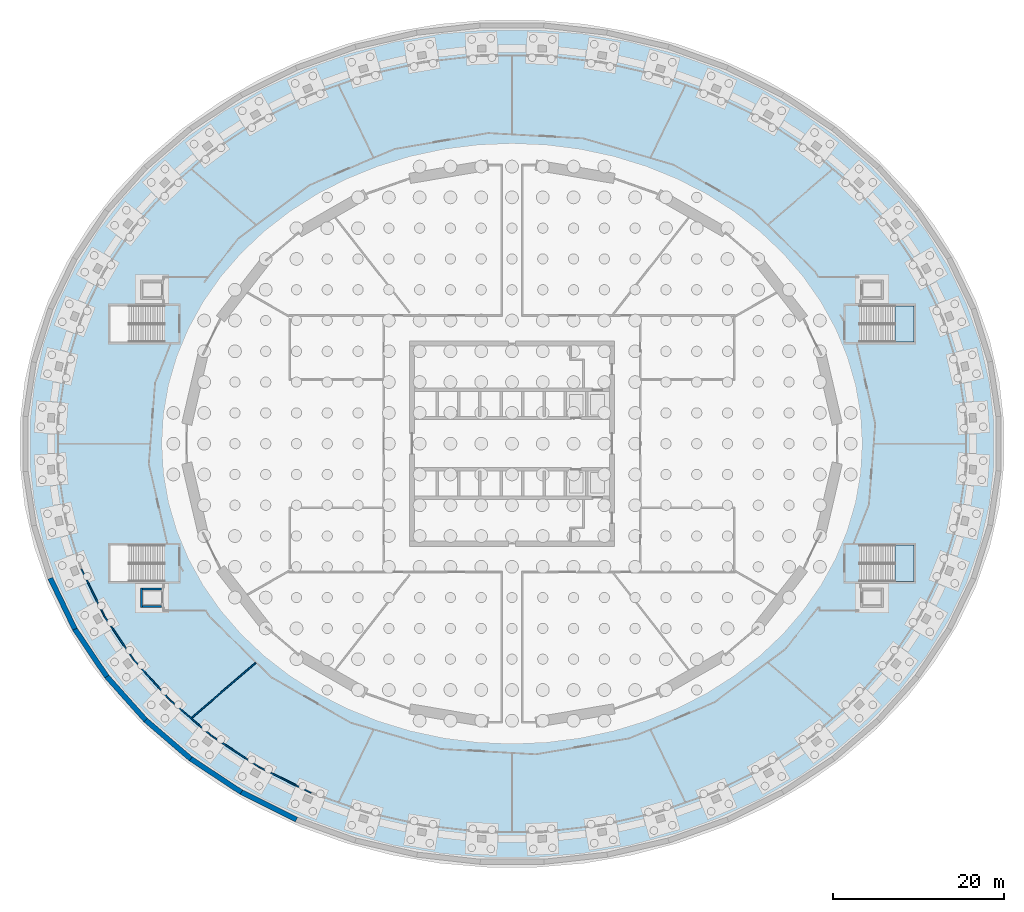
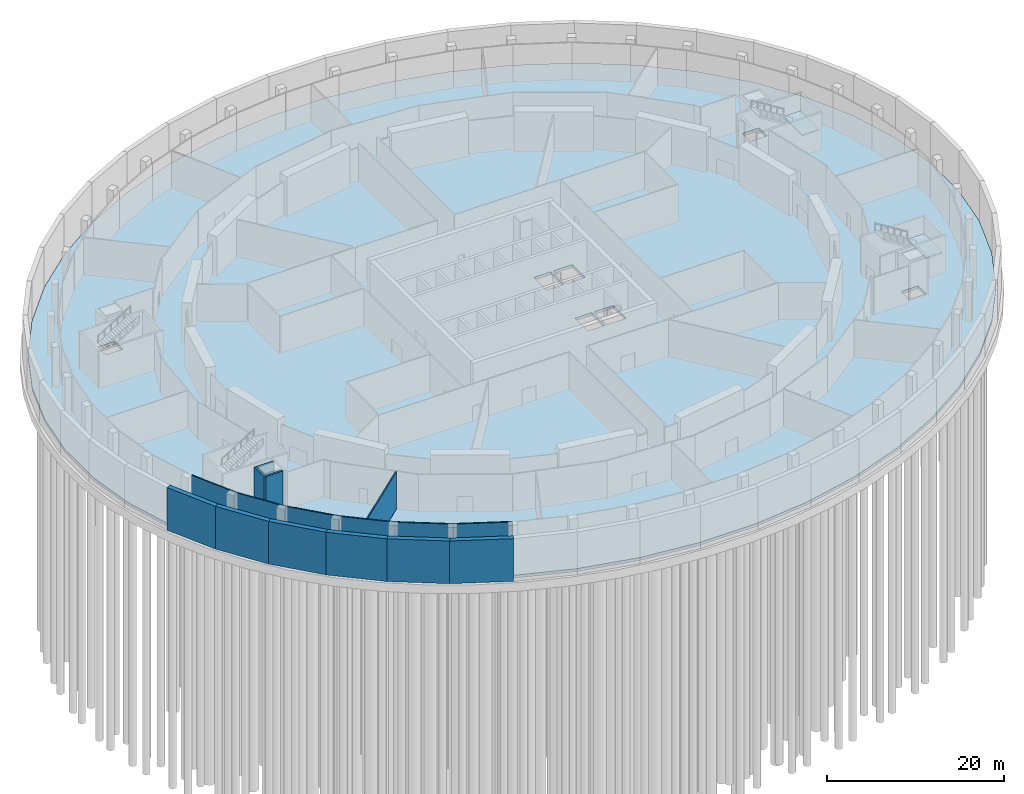
# One storey, part 5 of 15: 16 walls, 3 slabs, 2 elements without a shape of their own.
"""IFC4 building model written with IfcOpenShell, lengths in metres."""

from ifc_helpers import new_model, si_unit, direction, frame, frame_2d, origin, place, context, subcontext, project, spatial, polyline, rectangle, outline, extrude, material, layer, layer_set, type_object, element, aggregate, save


model = new_model("IFC4")

# Units and contexts
model_context = context("Model", 3, precision=1e-05, world=origin(), true_north=direction((0.0, 1.0)))
body_context = subcontext(model_context, "Body", "Model", "MODEL_VIEW")
ifc_project = project(units=[si_unit("LENGTHUNIT", "METRE"), si_unit("AREAUNIT", "SQUARE_METRE"), si_unit("VOLUMEUNIT", "CUBIC_METRE"), si_unit("PLANEANGLEUNIT", "RADIAN"), si_unit("MASSUNIT", "GRAM", prefix="KILO")], contexts=[model_context])

# Site, building, storey
site_placement = place(None, origin())
site = spatial("IfcSite", under=ifc_project, at=site_placement, CompositionType="ELEMENT")
building_placement = place(site_placement, origin())
building = spatial("IfcBuilding", under=site, at=building_placement, Name="Halqa Exchange Tower", CompositionType="ELEMENT")
storey_placement = place(building_placement, frame((0.0, 0.0, -15.0)))
storey = spatial("IfcBuildingStorey", under=building, at=storey_placement, Name="B3", CompositionType="ELEMENT", Elevation=-15.0)

# Slab
ifc_material_1 = material(Name="Concrete C40/50", Category="concrete")
ifc_layer_1 = layer(ifc_material_1, 0.39990234375)
ifc_layer_set_1 = layer_set([ifc_layer_1], Name="Concrete C40/50")
slab_type_1 = type_object("IfcSlabType", Name="RC base slab 400", PredefinedType="BASESLAB", material=ifc_layer_set_1)
slab_1_placement = place(storey_placement, frame((0.0, 0.0, -0.39990234375)))
element("IfcSlab", 1, at=slab_1_placement, inside=storey, type_object=slab_type_1, Name="Base slab", PredefinedType="BASESLAB", context=body_context, shape_type="SweptSolid", body=[
    extrude(outline(polyline([(56.577880859375, 3.181884765625), (56.577880859375, -3.181884765625), (55.61181640625, -9.49169921875), (53.6953125, -15.64013671875), (50.860595703125, -21.522705078125), (47.15625, -27.03857421875), (42.644287109375, -32.09326171875), (37.401611328125, -36.600341796875), (31.517578125, -40.4814453125), (25.093017578125, -43.670166015625), (18.23779296875, -46.111083984375), (11.0693359375, -47.76220703125), (3.711181640625, -48.59521484375), (-3.711181640625, -48.59521484375), (-11.0693359375, -47.76220703125), (-18.23779296875, -46.111083984375), (-25.093017578125, -43.670166015625), (-31.517578125, -40.4814453125), (-37.401611328125, -36.600341796875), (-42.644287109375, -32.09326171875), (-47.15625, -27.03857421875), (-50.860595703125, -21.522705078125), (-53.6953125, -15.64013671875), (-55.61181640625, -9.49169921875), (-56.577880859375, -3.181884765625), (-56.577880859375, 3.181884765625), (-55.61181640625, 9.49169921875), (-53.6953125, 15.64013671875), (-50.860595703125, 21.522705078125), (-47.15625, 27.03857421875), (-42.644287109375, 32.09326171875), (-37.401611328125, 36.600341796875), (-31.517578125, 40.4814453125), (-25.093017578125, 43.670166015625), (-18.23779296875, 46.111083984375), (-11.0693359375, 47.76220703125), (-3.711181640625, 48.59521484375), (3.711181640625, 48.59521484375), (11.0693359375, 47.76220703125), (18.23779296875, 46.111083984375), (25.093017578125, 43.670166015625), (31.517578125, 40.4814453125), (37.401611328125, 36.600341796875), (42.644287109375, 32.09326171875), (47.15625, 27.03857421875), (50.860595703125, 21.522705078125), (53.6953125, 15.64013671875), (55.61181640625, 9.49169921875), (56.577880859375, 3.181884765625)]), holes=[polyline([(6.39990234375, 3.199951171875), (8.60009765625, 3.199951171875), (8.60009765625, 6.10009765625), (6.39990234375, 6.10009765625), (6.39990234375, 3.199951171875)]), polyline([(8.89990234375, 3.199951171875), (11.39990234375, 3.199951171875), (11.39990234375, 6.10009765625), (8.89990234375, 6.10009765625), (8.89990234375, 3.199951171875)]), polyline([(6.39990234375, -6.10009765625), (8.60009765625, -6.10009765625), (8.60009765625, -3.199951171875), (6.39990234375, -3.199951171875), (6.39990234375, -6.10009765625)]), polyline([(8.89990234375, -6.10009765625), (11.39990234375, -6.10009765625), (11.39990234375, -3.199951171875), (8.89990234375, -3.199951171875), (8.89990234375, -6.10009765625)]), polyline([(41.0, 17.10009765625), (43.199951171875, 17.10009765625), (43.199951171875, 18.89990234375), (41.0, 18.89990234375), (41.0, 17.10009765625)]), polyline([(41.0, -18.89990234375), (43.199951171875, -18.89990234375), (43.199951171875, -17.10009765625), (41.0, -17.10009765625), (41.0, -18.89990234375)]), polyline([(-43.199951171875, 17.10009765625), (-41.0, 17.10009765625), (-41.0, 18.89990234375), (-43.199951171875, 18.89990234375), (-43.199951171875, 17.10009765625)]), polyline([(-43.199951171875, -18.89990234375), (-41.0, -18.89990234375), (-41.0, -17.10009765625), (-43.199951171875, -17.10009765625), (-43.199951171875, -18.89990234375)])]), origin(), (0.0, 0.0, 1.0), 0.39990234375),
])

# Stair, slab
ifc_material_2 = material(Name="Concrete C30/37", Category="concrete")
stair_type = type_object("IfcStairType", Name="Exit stair 2000 wide", PredefinedType="HALF_TURN_STAIR", material=ifc_material_2)
stair_1_placement = place(storey_placement, origin())
stair_1 = element("IfcStair", 2, at=stair_1_placement, inside=storey, type_object=stair_type, Name="Exit stair SS1", PredefinedType="HALF_TURN_STAIR")
ifc_layer_2 = layer(ifc_material_2, 0.199951171875)
ifc_layer_set_2 = layer_set([ifc_layer_2], Name="Concrete C30/37")
slab_type_2 = type_object("IfcSlabType", Name="Stair landing 200 slab", PredefinedType="LANDING", material=ifc_layer_set_2)
slab_2_placement = place(storey_placement, frame((0.0, 0.0, 2.550048828125)))
slab_2 = element("IfcSlab", 3, at=slab_2_placement, type_object=slab_type_2, Name="SS1 landing 1", PredefinedType="LANDING", context=body_context, shape_type="SweptSolid", body=[
    extrude(outline(polyline([(44.800048828125, 11.875), (47.0, 11.875), (47.0, 16.125), (44.800048828125, 16.125), (44.800048828125, 11.875)])), origin(), (0.0, 0.0, 1.0), 0.199951171875),
])
aggregate(stair_1, [slab_2])

stair_2_placement = place(storey_placement, origin())
stair_2 = element("IfcStair", 4, at=stair_2_placement, inside=storey, type_object=stair_type, Name="Exit stair SS2", PredefinedType="HALF_TURN_STAIR")
slab_3_placement = place(storey_placement, frame((0.0, 0.0, 2.550048828125)))
slab_3 = element("IfcSlab", 5, at=slab_3_placement, type_object=slab_type_2, Name="SS2 landing 1", PredefinedType="LANDING", context=body_context, shape_type="SweptSolid", body=[
    extrude(outline(polyline([(44.800048828125, -16.125), (47.0, -16.125), (47.0, -11.875), (44.800048828125, -11.875), (44.800048828125, -16.125)])), origin(), (0.0, 0.0, 1.0), 0.199951171875),
])
aggregate(stair_2, [slab_3])

# Walls
ifc_material_3 = material(Name="Fire-rated gypsum board")
ifc_layer_3 = layer(ifc_material_3, 0.14990234375)
ifc_layer_set_3 = layer_set([ifc_layer_3], Name="Fire-rated gypsum board")
wall_type_1 = type_object("IfcWallType", Name="Fire partition EI 60 150", PredefinedType="PARTITIONING", material=ifc_layer_set_3)
wall_1_placement = place(storey_placement, frame((-47.716552734375, -20.059814453125, 0.0), z_axis=(0.0, 0.0, 1.0), x_axis=(-0.439136399297, 0.898420404272, 0.0)))
element("IfcWall", 6, at=wall_1_placement, inside=storey, type_object=wall_type_1, Name="B3-PWL-008", PredefinedType="PARTITIONING", context=body_context, shape_type="SweptSolid", body=[
    extrude(rectangle(XDim=5.998291015625, YDim=0.14990234375, at=frame_2d((2.9990234375, 0.0))), origin(), (0.0, 0.0, 1.0), 5.14990234375),
])
wall_2_placement = place(storey_placement, frame((-44.220703125, -25.302978515625, 0.0), z_axis=(0.0, 0.0, 1.0), x_axis=(-0.558802536785, 0.829300744533, 0.0)))
element("IfcWall", 7, at=wall_2_placement, inside=storey, type_object=wall_type_1, Name="B3-PWL-009", PredefinedType="PARTITIONING", context=body_context, shape_type="SweptSolid", body=[
    extrude(rectangle(XDim=6.30712890625, YDim=0.14990234375, at=frame_2d((3.153564453125, 0.0))), origin(), (0.0, 0.0, 1.0), 5.14990234375),
])
wall_3_placement = place(storey_placement, frame((-39.981201171875, -30.015380859375, 0.0), z_axis=(0.0, 0.0, 1.0), x_axis=(-0.6673947824, 0.744704105283, 0.0)))
element("IfcWall", 8, at=wall_3_placement, inside=storey, type_object=wall_type_1, Name="B3-PWL-020", PredefinedType="PARTITIONING", context=body_context, shape_type="SweptSolid", body=[
    extrude(rectangle(XDim=6.338134765625, YDim=0.14990234375, at=frame_2d((3.1689453125, 0.0))), origin(), (0.0, 0.0, 1.0), 5.14990234375),
])
wall_4_placement = place(storey_placement, frame((-39.97314453125, -30.00732421875, 0.0), z_axis=(0.0, 0.0, 1.0), x_axis=(0.759038455419, -0.651045791934, 0.0)))
element("IfcWall", 9, at=wall_4_placement, inside=storey, type_object=wall_type_1, Name="B3-PWL-021", PredefinedType="PARTITIONING", context=body_context, shape_type="SweptSolid", body=[
    extrude(rectangle(XDim=6.479248046875, YDim=0.14990234375, at=frame_2d((3.23974609375, 0.0))), origin(), (0.0, 0.0, 1.0), 5.14990234375),
])
wall_5_placement = place(storey_placement, frame((-29.956298828125, -25.628173828125, 0.0), z_axis=(0.0, 0.0, 1.0), x_axis=(-0.759329804597, -0.650705961131, 0.0)))
element("IfcWall", 10, at=wall_5_placement, inside=storey, type_object=wall_type_1, Name="B3-PWL-033", PredefinedType="PARTITIONING", context=body_context, shape_type="SweptSolid", body=[
    extrude(outline(polyline([(0.006591796875, -0.074951171875), (9.898681640625, -0.074951171875), (9.875732421875, 0.074951171875), (-0.006591796875, 0.074951171875), (0.006591796875, -0.074951171875)])), origin(), (0.0, 0.0, 1.0), 5.14990234375),
])
wall_6_placement = place(storey_placement, frame((-29.528564453125, -37.846923828125, 0.0), z_axis=(0.0, 0.0, 1.0), x_axis=(-0.83553583791, 0.549435950378, 0.0)))
element("IfcWall", 11, at=wall_6_placement, inside=storey, type_object=wall_type_1, Name="B3-PWL-035", PredefinedType="PARTITIONING", context=body_context, shape_type="SweptSolid", body=[
    extrude(rectangle(XDim=6.6064453125, YDim=0.14990234375, at=frame_2d((3.30322265625, 0.0))), origin(), (0.0, 0.0, 1.0), 5.14990234375),
])
wall_7_placement = place(storey_placement, frame((-23.493408203125, -40.827880859375, 0.0), z_axis=(0.0, 0.0, 1.0), x_axis=(-0.895909442692, 0.444236727991, 0.0)))
element("IfcWall", 12, at=wall_7_placement, inside=storey, type_object=wall_type_1, Name="B3-PWL-047", PredefinedType="PARTITIONING", context=body_context, shape_type="SweptSolid", body=[
    extrude(rectangle(XDim=6.730712890625, YDim=0.14990234375, at=frame_2d((3.365234375, 0.0))), origin(), (0.0, 0.0, 1.0), 5.14990234375),
])
ifc_material_4 = material(Name="Gypsum board")
ifc_layer_4 = layer(ifc_material_4, 0.25)
ifc_layer_set_4 = layer_set([ifc_layer_4], Name="Gypsum board")
wall_type_2 = type_object("IfcWallType", Name="Penthouse riser wall 250 gypsum", PredefinedType="PARTITIONING", material=ifc_layer_set_4)
wall_8_placement = place(storey_placement, frame((-43.324951171875, -19.14990234375, 0.0), z_axis=(0.0, 0.0, 1.0), x_axis=(0.0, 1.0, 0.0)))
element("IfcWall", 13, at=wall_8_placement, inside=storey, type_object=wall_type_2, Name="Station lift AL4 wall west", PredefinedType="PARTITIONING", context=body_context, shape_type="SweptSolid", body=[
    extrude(rectangle(XDim=2.2998046875, YDim=0.25, at=frame_2d((1.14990234375, 0.0))), origin(), (0.0, 0.0, 1.0), 5.14990234375),
])
for number, where, z_axis, x_axis, name in (
    (14, (-43.199951171875, -16.97509765625, 0.0), (0.0, 0.0, 1.0), (1.0, 0.0, 0.0), "Station lift AL4 wall north"),
    (15, (-43.199951171875, -19.02490234375, 0.0), (0.0, 0.0, 1.0), (1.0, 0.0, 0.0), "Station lift AL4 wall south"),
):
    element("IfcWall", number, at=place(storey_placement, frame(where, z_axis=z_axis, x_axis=x_axis)), inside=storey, type_object=wall_type_2, Name=name, PredefinedType="PARTITIONING", context=body_context, shape_type="SweptSolid", body=[
        extrude(rectangle(XDim=2.199951171875, YDim=0.25, at=frame_2d((1.10009765625, 0.0))), origin(), (0.0, 0.0, 1.0), 5.14990234375),
    ])
ifc_layer_5 = layer(ifc_material_1, 0.60009765625)
ifc_layer_set_5 = layer_set([ifc_layer_5], Name="Concrete C40/50")
wall_type_3 = type_object("IfcWallType", Name="RC basement wall 600", PredefinedType="SOLIDWALL", material=ifc_layer_set_5)
wall_9_placement = place(storey_placement, frame((-53.984619140625, -15.730712890625, -0.39990234375), z_axis=(0.0, 0.0, 1.0), x_axis=(0.434104041315, -0.900862742772, 0.0)))
element("IfcWall", 16, at=wall_9_placement, inside=storey, type_object=wall_type_3, Name="Basement retaining wall", PredefinedType="SOLIDWALL", context=body_context, shape_type="SweptSolid", body=[
    extrude(rectangle(XDim=6.61669921875, YDim=0.60009765625, at=frame_2d((3.308349609375, 0.0))), origin(), (0.0, 0.0, 1.0), 5.89990234375),
])
wall_10_placement = place(storey_placement, frame((-51.133544921875, -21.654296875, -0.39990234375), z_axis=(0.0, 0.0, 1.0), x_axis=(0.557518861869, -0.830164272093, 0.0)))
element("IfcWall", 17, at=wall_10_placement, inside=storey, type_object=wall_type_3, Name="Basement retaining wall", PredefinedType="SOLIDWALL", context=body_context, shape_type="SweptSolid", body=[
    extrude(rectangle(XDim=6.728515625, YDim=0.60009765625, at=frame_2d((3.3642578125, 0.0))), origin(), (0.0, 0.0, 1.0), 5.89990234375),
])
wall_11_placement = place(storey_placement, frame((-47.407470703125, -27.20751953125, -0.39990234375), z_axis=(0.0, 0.0, 1.0), x_axis=(0.665894053378, -0.74604631872, 0.0)))
element("IfcWall", 18, at=wall_11_placement, inside=storey, type_object=wall_type_3, Name="Basement retaining wall", PredefinedType="SOLIDWALL", context=body_context, shape_type="SweptSolid", body=[
    extrude(rectangle(XDim=6.8564453125, YDim=0.60009765625, at=frame_2d((3.42822265625, 0.0))), origin(), (0.0, 0.0, 1.0), 5.89990234375),
])
wall_12_placement = place(storey_placement, frame((-42.869873046875, -32.294921875, -0.39990234375), z_axis=(0.0, 0.0, 1.0), x_axis=(0.758319142722, -0.65188348482, 0.0)))
element("IfcWall", 19, at=wall_12_placement, inside=storey, type_object=wall_type_3, Name="Basement retaining wall", PredefinedType="SOLIDWALL", context=body_context, shape_type="SweptSolid", body=[
    extrude(rectangle(XDim=6.991455078125, YDim=0.60009765625, at=frame_2d((3.49560546875, 0.0))), origin(), (0.0, 0.0, 1.0), 5.89990234375),
])
wall_13_placement = place(storey_placement, frame((-37.5986328125, -36.82958984375, -0.39990234375), z_axis=(0.0, 0.0, 1.0), x_axis=(0.834745196239, -0.550636411215, 0.0)))
element("IfcWall", 20, at=wall_13_placement, inside=storey, type_object=wall_type_3, Name="Basement retaining wall", PredefinedType="SOLIDWALL", context=body_context, shape_type="SweptSolid", body=[
    extrude(rectangle(XDim=7.123779296875, YDim=0.60009765625, at=frame_2d((3.56201171875, 0.0))), origin(), (0.0, 0.0, 1.0), 5.89990234375),
])
wall_14_placement = place(storey_placement, frame((-31.68408203125, -40.73388671875, -0.39990234375), z_axis=(0.0, 0.0, 1.0), x_axis=(0.895750986496, -0.44455614965, 0.0)))
element("IfcWall", 21, at=wall_14_placement, inside=storey, type_object=wall_type_3, Name="Basement retaining wall", PredefinedType="SOLIDWALL", context=body_context, shape_type="SweptSolid", body=[
    extrude(rectangle(XDim=7.244873046875, YDim=0.60009765625, at=frame_2d((3.62255859375, 0.0))), origin(), (0.0, 0.0, 1.0), 5.89990234375),
])

save(model, "model.ifc")
